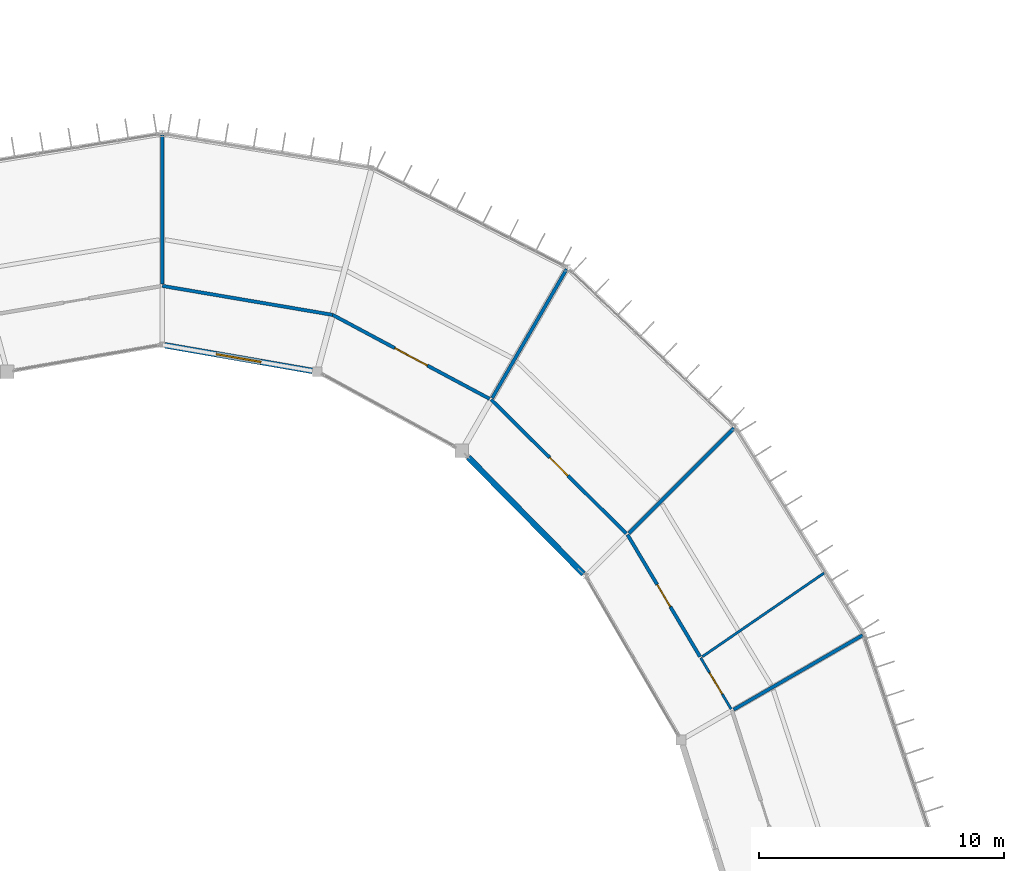
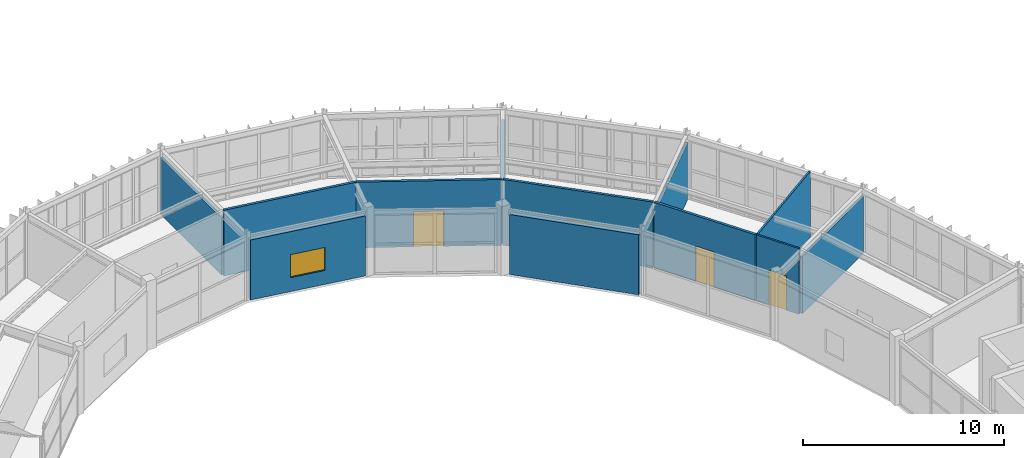
# One storey, part 116 of 130: 12 walls, 4 doors, 1 window, 5 openings.
"""IFC4 building model written with IfcOpenShell, lengths in metres."""

from ifc_helpers import new_model, si_unit, direction, frame, frame_2d, origin, place, context, subcontext, project, spatial, rectangle, extrude, material, layer, layer_set, type_object, element, fill, save


model = new_model("IFC4")

# Units and contexts
model_context = context("Model", 3, precision=1e-05, world=origin(), true_north=direction((0.0, 1.0)))
body_context = subcontext(model_context, "Body", "Model", "MODEL_VIEW")
ifc_project = project(units=[si_unit("LENGTHUNIT", "METRE"), si_unit("AREAUNIT", "SQUARE_METRE"), si_unit("VOLUMEUNIT", "CUBIC_METRE"), si_unit("PLANEANGLEUNIT", "RADIAN"), si_unit("MASSUNIT", "GRAM", prefix="KILO")], contexts=[model_context])

# Site, building, storey
site_placement = place(None, origin())
site = spatial("IfcSite", under=ifc_project, at=site_placement, CompositionType="ELEMENT")
building_placement = place(site_placement, origin())
building = spatial("IfcBuilding", under=site, at=building_placement, Name="Karori Crest Natural Sciences Institute", CompositionType="ELEMENT")
storey_placement = place(building_placement, frame((0.0, 0.0, 17.5)))
storey = spatial("IfcBuildingStorey", under=building, at=storey_placement, Name="L04", CompositionType="ELEMENT", Elevation=17.5)

# Wall
ifc_material_1 = material(Name="Laboratory acoustic drywall partition")
ifc_layer_1 = layer(ifc_material_1, 0.139892578125, Name="Laboratory acoustic drywall partition")
ifc_layer_set_1 = layer_set([ifc_layer_1], Name="Laboratory acoustic drywall partition")
wall_type_1 = type_object("IfcWallType", Name="IWT-07", PredefinedType="PARTITIONING", material=ifc_layer_set_1)
wall_1_placement = place(storey_placement, frame((89.6787109375, 67.239990234375, 0.0), z_axis=(0.0, 0.0, 1.0), x_axis=(0.866020543329, 0.500008418462, 0.0)))
element("IfcWall", 1, at=wall_1_placement, inside=storey, type_object=wall_type_1, Name="Partition wall IW-1329", PredefinedType="PARTITIONING", context=body_context, shape_type="SweptSolid", body=[
    extrude(rectangle(XDim=6.06005859375, YDim=0.139892578125, at=frame_2d((3.030029296875, 0.0))), origin(), (0.0, 0.0, 1.0), 3.470947265625),
])

# Wall, opening, door
wall_2_placement = place(storey_placement, frame((88.30517578125, 69.39453125, 0.0), z_axis=(0.0, 0.0, 1.0), x_axis=(-0.510896676259, 0.859642126811, 0.0)))
wall_2 = element("IfcWall", 2, at=wall_2_placement, inside=storey, type_object=wall_type_1, Name="Partition wall IW-1332", PredefinedType="PARTITIONING", context=body_context, shape_type="SweptSolid", body=[
    extrude(rectangle(XDim=5.783203125, YDim=0.139892578125, at=frame_2d((2.8916015625, 0.0))), origin(), (0.0, 0.0, 1.0), 4.0),
])
opening_1_placement = place(wall_2_placement, frame((2.366455078125, 0.0, 0.0)))
opening_1 = element("IfcOpeningElement", 3, at=opening_1_placement, cuts=wall_2, Name="Opening ID-0417", PredefinedType="OPENING", context=body_context, shape_type="SweptSolid", body=[
    extrude(rectangle(XDim=1.050048828125, YDim=2.14990234375, at=frame_2d((0.52490234375, 1.074951171875))), frame((0.0, 0.080078125, 0.0), z_axis=(0.0, -1.0, 0.0), x_axis=(1.0, 0.0, 0.0)), (0.0, 0.0, 1.0), 0.159912109375),
])
ifc_material_2 = material(Name="Stainless steel 316 and fire-rated timber", Category="steel")
door_type_1 = type_object("IfcDoorType", Name="IDT-03", OperationType="NOTDEFINED", PredefinedType="DOOR", material=ifc_material_2)
door_1_placement = place(opening_1_placement, origin())
door_1 = element("IfcDoor", 4, at=door_1_placement, inside=storey, type_object=door_type_1, Name="Janitor and Consumables Store door ID-0417", OperationType="SINGLE_SWING_LEFT", OverallHeight=2.14990234375, OverallWidth=1.050048828125, PredefinedType="DOOR", context=body_context, shape_type="SweptSolid", body=[
    extrude(rectangle(XDim=1.050048828125, YDim=2.14990234375, at=frame_2d((0.52490234375, 1.074951171875))), frame((0.0, 0.02490234375, 0.0), z_axis=(0.0, -1.0, 0.0), x_axis=(1.0, 0.0, 0.0)), (0.0, 0.0, 1.0), 0.050048828125),
])
fill(opening_1, door_1)

# Wall
wall_3_placement = place(storey_placement, frame((85.406982421875, 74.422607421875, 0.0), z_axis=(0.0, 0.0, 1.0), x_axis=(0.70712692467, 0.707086637129, 0.0)))
element("IfcWall", 5, at=wall_3_placement, inside=storey, type_object=wall_type_1, Name="Partition wall IW-1333", PredefinedType="PARTITIONING", context=body_context, shape_type="SweptSolid", body=[
    extrude(rectangle(XDim=6.06005859375, YDim=0.139892578125, at=frame_2d((3.030029296875, 0.0))), origin(), (0.0, 0.0, 1.0), 3.465087890625),
])

# Wall, opening, door
wall_4_placement = place(storey_placement, frame((85.29931640625, 74.41650390625, 0.0), z_axis=(0.0, 0.0, 1.0), x_axis=(-0.710410596589, 0.703787456732, 0.0)))
wall_4 = element("IfcWall", 6, at=wall_4_placement, inside=storey, type_object=wall_type_1, Name="Partition wall IW-1334", PredefinedType="PARTITIONING", context=body_context, shape_type="SweptSolid", body=[
    extrude(rectangle(XDim=7.740966796875, YDim=0.139892578125, at=frame_2d((3.87060546875, 0.0))), origin(), (0.0, 0.0, 1.0), 4.0),
])
opening_2_placement = place(wall_4_placement, frame((3.345458984375, 0.0, 0.0)))
opening_2 = element("IfcOpeningElement", 7, at=opening_2_placement, cuts=wall_4, Name="Opening ID-0418", PredefinedType="OPENING", context=body_context, shape_type="SweptSolid", body=[
    extrude(rectangle(XDim=1.050048828125, YDim=2.14990234375, at=frame_2d((0.52490234375, 1.074951171875))), frame((0.0, 0.080078125, 0.0), z_axis=(0.0, -1.0, 0.0), x_axis=(1.0, 0.0, 0.0)), (0.0, 0.0, 1.0), 0.159912109375),
])
door_2_placement = place(opening_2_placement, origin())
door_2 = element("IfcDoor", 8, at=door_2_placement, inside=storey, type_object=door_type_1, Name="Wet Biology Laboratory door ID-0418", OperationType="SINGLE_SWING_RIGHT", OverallHeight=2.14990234375, OverallWidth=1.050048828125, PredefinedType="DOOR", context=body_context, shape_type="SweptSolid", body=[
    extrude(rectangle(XDim=1.050048828125, YDim=2.14990234375, at=frame_2d((0.52490234375, 1.074951171875))), frame((0.0, 0.02490234375, 0.0), z_axis=(0.0, -1.0, 0.0), x_axis=(1.0, 0.0, 0.0)), (0.0, 0.0, 1.0), 0.050048828125),
])
fill(opening_2, door_2)

# Wall
wall_5_placement = place(storey_placement, frame((79.840087890625, 79.933837890625, 0.0), z_axis=(0.0, 0.0, 1.0), x_axis=(0.500008418462, 0.866020543329, 0.0)))
element("IfcWall", 9, at=wall_5_placement, inside=storey, type_object=wall_type_1, Name="Partition wall IW-1335", PredefinedType="PARTITIONING", context=body_context, shape_type="SweptSolid", body=[
    extrude(rectangle(XDim=6.06005859375, YDim=0.139892578125, at=frame_2d((3.030029296875, 0.0))), origin(), (0.0, 0.0, 1.0), 3.31298828125),
])

# Wall, opening, door
wall_6_placement = place(storey_placement, frame((79.736572265625, 79.8984375, 0.0), z_axis=(0.0, 0.0, 1.0), x_axis=(-0.881826283139, 0.471574391125, 0.0)))
wall_6 = element("IfcWall", 10, at=wall_6_placement, inside=storey, type_object=wall_type_1, Name="Partition wall IW-1336", PredefinedType="PARTITIONING", context=body_context, shape_type="SweptSolid", body=[
    extrude(rectangle(XDim=7.2578125, YDim=0.139892578125, at=frame_2d((3.62890625, 0.0))), origin(), (0.0, 0.0, 1.0), 4.0),
])
opening_3_placement = place(wall_6_placement, frame((2.87890625, 0.0, 0.0)))
opening_3 = element("IfcOpeningElement", 11, at=opening_3_placement, cuts=wall_6, Name="Opening ID-0419", PredefinedType="OPENING", context=body_context, shape_type="SweptSolid", body=[
    extrude(rectangle(XDim=1.5, YDim=2.14990234375, at=frame_2d((0.75, 1.074951171875))), frame((0.0, 0.080078125, 0.0), z_axis=(0.0, -1.0, 0.0), x_axis=(1.0, 0.0, 0.0)), (0.0, 0.0, 1.0), 0.159912109375),
])
door_type_2 = type_object("IfcDoorType", Name="IDT-05", OperationType="DOUBLE_DOOR_SINGLE_SWING", PredefinedType="DOOR", material=ifc_material_2)
door_3_placement = place(opening_3_placement, origin())
door_3 = element("IfcDoor", 12, at=door_3_placement, inside=storey, type_object=door_type_2, Name="Analytical Geochemistry Laboratory door ID-0419", OperationType="DOUBLE_DOOR_SINGLE_SWING", OverallHeight=2.14990234375, OverallWidth=1.5, PredefinedType="DOOR", context=body_context, shape_type="SweptSolid", body=[
    extrude(rectangle(XDim=1.5, YDim=2.14990234375, at=frame_2d((0.75, 1.074951171875))), frame((0.0, 0.02490234375, 0.0), z_axis=(0.0, -1.0, 0.0), x_axis=(1.0, 0.0, 0.0)), (0.0, 0.0, 1.0), 0.050048828125),
])
fill(opening_3, door_3)

# Walls
wall_7_placement = place(storey_placement, frame((73.33447265625, 83.3212890625, 0.0), z_axis=(0.0, 0.0, 1.0), x_axis=(-0.985859746005, 0.167572555053, 0.0)))
element("IfcWall", 13, at=wall_7_placement, inside=storey, type_object=wall_type_1, Name="Partition wall IW-1337", PredefinedType="PARTITIONING", context=body_context, shape_type="SweptSolid", body=[
    extrude(rectangle(XDim=7.033935546875, YDim=0.139892578125, at=frame_2d((3.51708984375, 0.0))), origin(), (0.0, 0.0, 1.0), 4.0),
])
wall_8_placement = place(storey_placement, frame((66.39990234375, 84.580078125, 0.0), z_axis=(0.0, 0.0, 1.0), x_axis=(0.0, 1.0, 0.0)))
element("IfcWall", 14, at=wall_8_placement, inside=storey, type_object=wall_type_1, Name="Partition wall IW-1338", PredefinedType="PARTITIONING", context=body_context, shape_type="SweptSolid", body=[
    extrude(rectangle(XDim=6.059814453125, YDim=0.139892578125, at=frame_2d((3.02978515625, 0.0))), origin(), (0.0, 0.0, 1.0), 3.470947265625),
])

# Wall, opening, door
ifc_material_3 = material(Name="Washroom moisture-resistant partition")
ifc_layer_2 = layer(ifc_material_3, 0.10009765625, Name="Washroom moisture-resistant partition")
ifc_layer_set_2 = layer_set([ifc_layer_2], Name="Washroom moisture-resistant partition")
wall_type_2 = type_object("IfcWallType", Name="IWT-09", PredefinedType="PARTITIONING", material=ifc_layer_set_2)
wall_9_placement = place(storey_placement, frame((89.57275390625, 67.261962890625, 0.0), z_axis=(0.0, 0.0, 1.0), x_axis=(-0.510928867953, 0.859622994046, 0.0)))
wall_9 = element("IfcWall", 15, at=wall_9_placement, inside=storey, type_object=wall_type_2, Name="Partition wall IW-1330", PredefinedType="PARTITIONING", context=body_context, shape_type="SweptSolid", body=[
    extrude(rectangle(XDim=2.428955078125, YDim=0.10009765625, at=frame_2d((1.21435546875, 0.0))), origin(), (0.0, 0.0, 1.0), 4.0),
])
opening_4_placement = place(wall_9_placement, frame((0.71435546875, 0.0, 0.0)))
opening_4 = element("IfcOpeningElement", 16, at=opening_4_placement, cuts=wall_9, Name="Opening ID-0416", PredefinedType="OPENING", context=body_context, shape_type="SweptSolid", body=[
    extrude(rectangle(XDim=1.0, YDim=2.10009765625, at=frame_2d((0.5, 1.050048828125))), frame((0.0, 0.06005859375, 0.0), z_axis=(0.0, -1.0, 0.0), x_axis=(1.0, 0.0, 0.0)), (0.0, 0.0, 1.0), 0.1201171875),
])
ifc_material_4 = material(Name="Anodised aluminium and acoustic timber", Category="wood")
door_type_3 = type_object("IfcDoorType", Name="IDT-09", OperationType="NOTDEFINED", PredefinedType="DOOR", material=ifc_material_4)
door_4_placement = place(opening_4_placement, origin())
door_4 = element("IfcDoor", 17, at=door_4_placement, inside=storey, type_object=door_type_3, Name="Accessible WC door ID-0416", OperationType="SINGLE_SWING_RIGHT", OverallHeight=2.10009765625, OverallWidth=1.0, PredefinedType="DOOR", context=body_context, shape_type="SweptSolid", body=[
    extrude(rectangle(XDim=1.0, YDim=2.10009765625, at=frame_2d((0.5, 1.050048828125))), frame((0.0, 0.02490234375, 0.0), z_axis=(0.0, -1.0, 0.0), x_axis=(1.0, 0.0, 0.0)), (0.0, 0.0, 1.0), 0.050048828125),
])
fill(opening_4, door_4)

# Walls
wall_10_placement = place(storey_placement, frame((88.397705078125, 69.39501953125, 0.0), z_axis=(0.0, 0.0, 1.0), x_axis=(0.824271584206, 0.566194626847, 0.0)))
element("IfcWall", 18, at=wall_10_placement, inside=storey, type_object=wall_type_2, Name="Partition wall IW-1331", PredefinedType="PARTITIONING", context=body_context, shape_type="SweptSolid", body=[
    extrude(rectangle(XDim=6.015625, YDim=0.10009765625, at=frame_2d((3.0078125, 0.0))), origin(), (0.0, 0.0, 1.0), 4.0),
])
ifc_material_5 = material(Name="Precast concrete 40 MPa", Category="concrete")
ifc_layer_3 = layer(ifc_material_5, 0.239990234375, Name="Precast concrete 40 MPa")
ifc_layer_set_3 = layer_set([ifc_layer_3], Name="Precast concrete 40 MPa")
wall_type_3 = type_object("IfcWallType", Name="WT-04", PredefinedType="SOLIDWALL", material=ifc_layer_set_3)
wall_11_placement = place(storey_placement, frame((83.55224609375, 72.771240234375, 0.0), z_axis=(0.0, 0.0, 1.0), x_axis=(-0.702659584396, 0.711526182551, 0.0)))
element("IfcWall", 19, at=wall_11_placement, inside=storey, type_object=wall_type_3, Name="Exterior wall EW-0077", PredefinedType="SOLIDWALL", context=body_context, shape_type="SweptSolid", body=[
    extrude(rectangle(XDim=6.663330078125, YDim=0.239990234375, at=frame_2d((3.33154296875, 0.0))), origin(), (0.0, 0.0, 1.0), 3.64990234375),
])

# Wall, opening, window
wall_12_placement = place(storey_placement, frame((72.51708984375, 81.037109375, 0.0), z_axis=(0.0, 0.0, 1.0), x_axis=(-0.985238151149, 0.171189326539, 0.0)))
wall_12 = element("IfcWall", 20, at=wall_12_placement, inside=storey, type_object=wall_type_3, Name="Exterior wall EW-0078", PredefinedType="SOLIDWALL", context=body_context, shape_type="SweptSolid", body=[
    extrude(rectangle(XDim=6.106689453125, YDim=0.239990234375, at=frame_2d((3.05322265625, 0.0))), origin(), (0.0, 0.0, 1.0), 3.64990234375),
])
opening_5_placement = place(wall_12_placement, frame((2.12841796875, 0.0, 0.85009765625)))
opening_5 = element("IfcOpeningElement", 21, at=opening_5_placement, cuts=wall_12, Name="Opening WN-0031", PredefinedType="OPENING", context=body_context, shape_type="SweptSolid", body=[
    extrude(rectangle(XDim=1.85009765625, YDim=1.39990234375, at=frame_2d((0.925048828125, 0.699951171875))), frame((0.0, 0.1298828125, 0.0), z_axis=(0.0, -1.0, 0.0), x_axis=(1.0, 0.0, 0.0)), (0.0, 0.0, 1.0), 0.260009765625),
])
ifc_material_6 = material(Name="Double low-E laminated glass", Category="glass")
window_type = type_object("IfcWindowType", Name="WNT-06", PartitioningType="SINGLE_PANEL", PredefinedType="WINDOW", material=ifc_material_6)
window_placement = place(opening_5_placement, origin())
window = element("IfcWindow", 22, at=window_placement, inside=storey, type_object=window_type, Name="Window WN-0031", OverallHeight=1.39990234375, OverallWidth=1.85009765625, PartitioningType="SINGLE_PANEL", PredefinedType="WINDOW", context=body_context, shape_type="SweptSolid", body=[
    extrude(rectangle(XDim=1.85009765625, YDim=1.39990234375, at=frame_2d((0.925048828125, 0.699951171875))), frame((0.0, 0.030029296875, 0.0), z_axis=(0.0, -1.0, 0.0), x_axis=(1.0, 0.0, 0.0)), (0.0, 0.0, 1.0), 0.06005859375),
])
fill(opening_5, window)

save(model, "model.ifc")
